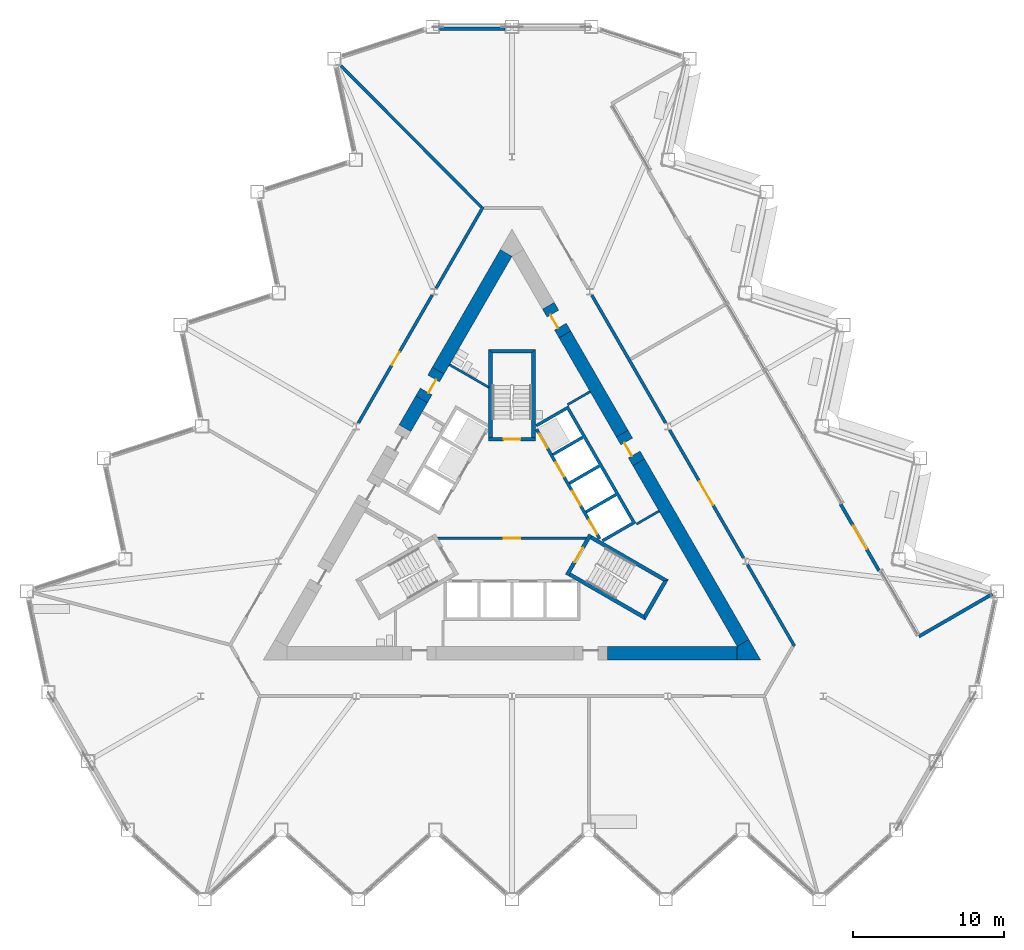
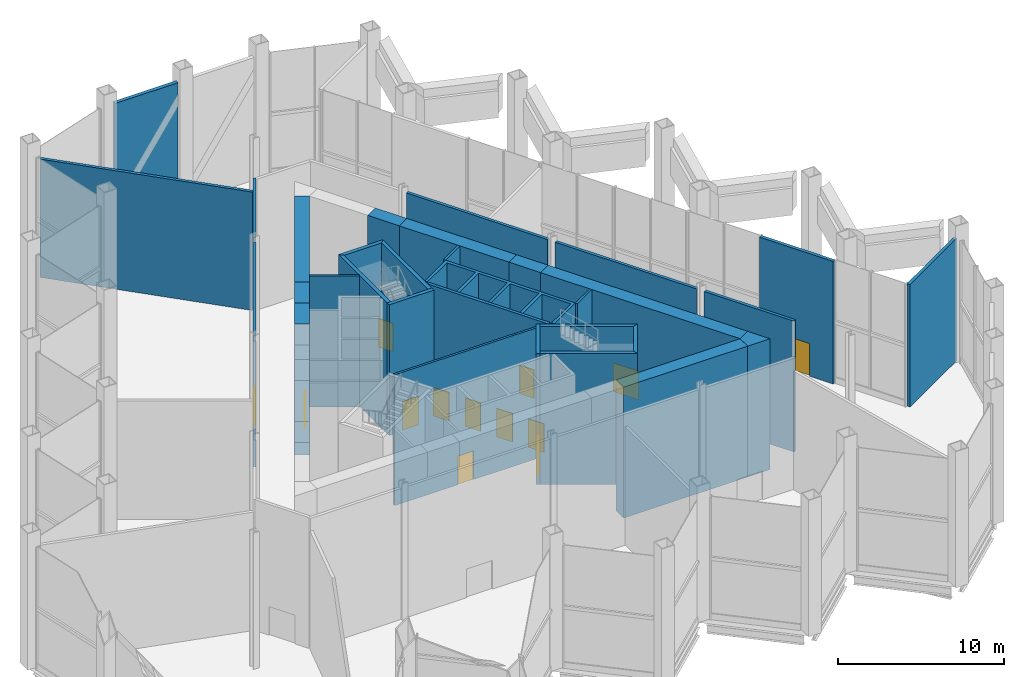
# One storey, part 10 of 18: 32 walls, 13 doors, 13 openings.
"""IFC4 building model written with IfcOpenShell, lengths in metres."""

from ifc_helpers import new_model, si_unit, direction, frame, frame_2d, origin, place, context, subcontext, project, spatial, polyline, rectangle, outline, extrude, material, layer, layer_set, type_object, element, fill, save


model = new_model("IFC4")

# Units and contexts
model_context = context("Model", 3, precision=1e-05, world=origin(), true_north=direction((0.0, 1.0)))
body_context = subcontext(model_context, "Body", "Model", "MODEL_VIEW")
ifc_project = project(units=[si_unit("LENGTHUNIT", "METRE"), si_unit("AREAUNIT", "SQUARE_METRE"), si_unit("VOLUMEUNIT", "CUBIC_METRE"), si_unit("PLANEANGLEUNIT", "RADIAN"), si_unit("MASSUNIT", "GRAM", prefix="KILO")], contexts=[model_context])

# Site, building, storey
site_placement = place(None, origin())
site = spatial("IfcSite", under=ifc_project, at=site_placement, CompositionType="ELEMENT")
building_placement = place(site_placement, origin())
building = spatial("IfcBuilding", under=site, at=building_placement, Name="Cormorant Prow Tower", CompositionType="ELEMENT")
storey_placement = place(building_placement, frame((0.0, 0.0, 154.199951171875)))
storey = spatial("IfcBuildingStorey", under=building, at=storey_placement, Name="L33", CompositionType="ELEMENT", Elevation=154.199951171875)

# Wall, opening, door
ifc_material_1 = material(Name="Gypsum board partition")
ifc_layer_1 = layer(ifc_material_1, 0.14990234375)
ifc_layer_set_1 = layer_set([ifc_layer_1], Name="Gypsum board partition")
wall_type_1 = type_object("IfcWallType", Name="Core partition 150", PredefinedType="PARTITIONING", material=ifc_layer_set_1)
wall_1_placement = place(storey_placement, frame((-4.941162109375, -1.449951171875, 0.0), z_axis=(0.0, 0.0, 1.0), x_axis=(1.0, 0.0, 0.0)))
wall_1 = element("IfcWall", 1, at=wall_1_placement, inside=storey, type_object=wall_type_1, Name="Firefighting lobby partition", PredefinedType="PARTITIONING", context=body_context, shape_type="SweptSolid", body=[
    extrude(rectangle(XDim=9.88232421875, YDim=0.14990234375, at=frame_2d((4.941162109375, 0.0))), origin(), (0.0, 0.0, 1.0), 9.60009765625),
])
opening_1_placement = place(wall_1_placement, frame((4.39111328125, 0.0, 0.0)))
opening_1 = element("IfcOpeningElement", 2, at=opening_1_placement, cuts=wall_1, Name="Opening L33-C12", PredefinedType="OPENING", context=body_context, shape_type="SweptSolid", body=[
    extrude(rectangle(XDim=1.10009765625, YDim=2.10009765625, at=frame_2d((0.550048828125, 1.050048828125))), frame((0.0, 0.0849609375, 0.0), z_axis=(0.0, -1.0, 0.0), x_axis=(1.0, 0.0, 0.0)), (0.0, 0.0, 1.0), 0.169921875),
])
ifc_material_2 = material(Name="Painted steel", Category="steel")
door_type_1 = type_object("IfcDoorType", Name="Firefighting lobby door 1100x2100", OperationType="NOTDEFINED", PredefinedType="DOOR", material=ifc_material_2)
door_1_placement = place(opening_1_placement, origin())
door_1 = element("IfcDoor", 3, at=door_1_placement, inside=storey, type_object=door_type_1, Name="Firefighting lobby door", OperationType="SINGLE_SWING_LEFT", OverallHeight=2.10009765625, OverallWidth=1.10009765625, PredefinedType="DOOR", context=body_context, shape_type="SweptSolid", body=[
    extrude(rectangle(XDim=1.10009765625, YDim=2.10009765625, at=frame_2d((0.550048828125, 1.050048828125))), frame((0.0, 0.02490234375, 0.0), z_axis=(0.0, -1.0, 0.0), x_axis=(1.0, 0.0, 0.0)), (0.0, 0.0, 1.0), 0.050048828125),
])
fill(opening_1, door_1)

# Walls
for number, where, z_axis, x_axis, name in (
    (4, (3.693359375, 7.4150390625, 0.0), (0.0, 0.0, 1.0), (0.866024871741, 0.500000921525, 0.0), "Service room partition"),
    (5, (8.268310546875, -0.509033203125, 0.0), (0.0, 0.0, 1.0), (0.866024871741, 0.500000921525, 0.0), "Service room partition"),
):
    element("IfcWall", number, at=place(storey_placement, frame(where, z_axis=z_axis, x_axis=x_axis)), inside=storey, type_object=wall_type_1, Name=name, PredefinedType="PARTITIONING", context=body_context, shape_type="SweptSolid", body=[
        extrude(rectangle(XDim=1.72021484375, YDim=0.14990234375, at=frame_2d((0.860107421875, 0.0))), origin(), (0.0, 0.0, 1.0), 9.60009765625),
    ])
wall_2_placement = place(storey_placement, frame((-4.148681640625, 10.066650390625, 0.0), z_axis=(0.0, 0.0, 1.0), x_axis=(0.865988872794, -0.500063268193, 0.0)))
element("IfcWall", 6, at=wall_2_placement, inside=storey, type_object=wall_type_1, Name="Service room partition", PredefinedType="PARTITIONING", context=body_context, shape_type="SweptSolid", body=[
    extrude(rectangle(XDim=3.017578125, YDim=0.14990234375, at=frame_2d((1.5087890625, 0.0))), origin(), (0.0, 0.0, 1.0), 9.60009765625),
])
ifc_material_3 = material(Name="Concrete 8000 psi", Category="concrete")
ifc_layer_2 = layer(ifc_material_3, 0.89990234375)
ifc_layer_set_2 = layer_set([ifc_layer_2], Name="Concrete 8000 psi")
wall_type_2 = type_object("IfcWallType", Name="Core shear wall 900", PredefinedType="SHEAR", material=ifc_layer_set_2)
wall_3_placement = place(storey_placement, frame((6.320556640625, -9.076416015625, 0.0), z_axis=(0.0, 0.0, 1.0), x_axis=(1.0, 0.0, 0.0)))
element("IfcWall", 7, at=wall_3_placement, inside=storey, type_object=wall_type_2, Name="Core wall", PredefinedType="SHEAR", context=body_context, shape_type="SweptSolid", body=[
    extrude(rectangle(XDim=8.62060546875, YDim=0.89990234375, at=frame_2d((4.310302734375, 0.0))), origin(), (0.0, 0.0, 1.0), 9.60009765625),
])
wall_4_placement = place(storey_placement, frame((15.330810546875, -8.4013671875, 0.0), z_axis=(0.0, 0.0, 1.0), x_axis=(-0.499990163897, 0.866031082587, 0.0)))
element("IfcWall", 8, at=wall_4_placement, inside=storey, type_object=wall_type_2, Name="Core wall", PredefinedType="SHEAR", context=body_context, shape_type="SweptSolid", body=[
    extrude(rectangle(XDim=13.841064453125, YDim=0.89990234375, at=frame_2d((6.92041015625, 0.0))), origin(), (0.0, 0.0, 1.0), 9.60009765625),
])
wall_5_placement = place(storey_placement, frame((7.310302734375, 5.49072265625, 0.0), z_axis=(0.0, 0.0, 1.0), x_axis=(-0.499996970966, 0.866027152591, 0.0)))
element("IfcWall", 9, at=wall_5_placement, inside=storey, type_object=wall_type_2, Name="Core wall", PredefinedType="SHEAR", context=body_context, shape_type="SweptSolid", body=[
    extrude(rectangle(XDim=7.595703125, YDim=0.89990234375, at=frame_2d((3.7978515625, 0.0))), origin(), (0.0, 0.0, 1.0), 9.60009765625),
])
wall_6_placement = place(storey_placement, frame((-0.3896484375, 17.4775390625, 0.0), z_axis=(0.0, 0.0, 1.0), x_axis=(-0.499999130374, -0.866025905863, 0.0)))
element("IfcWall", 10, at=wall_6_placement, inside=storey, type_object=wall_type_2, Name="Core wall", PredefinedType="SHEAR", context=body_context, shape_type="SweptSolid", body=[
    extrude(rectangle(XDim=9.01318359375, YDim=0.89990234375, at=frame_2d((4.506591796875, 0.0))), origin(), (0.0, 0.0, 1.0), 9.60009765625),
])
wall_7_placement = place(storey_placement, frame((-5.996337890625, 7.7666015625, 0.0), z_axis=(0.0, 0.0, 1.0), x_axis=(-0.499990325971, -0.866030989016, 0.0)))
element("IfcWall", 11, at=wall_7_placement, inside=storey, type_object=wall_type_2, Name="Core wall", PredefinedType="SHEAR", context=body_context, shape_type="SweptSolid", body=[
    extrude(rectangle(XDim=2.208984375, YDim=0.89990234375, at=frame_2d((1.1044921875, 0.0))), origin(), (0.0, 0.0, 1.0), 9.60009765625),
])
wall_8_placement = place(storey_placement, origin())
element("IfcWall", 12, at=wall_8_placement, inside=storey, type_object=wall_type_2, Name="Core wall corner", PredefinedType="SHEAR", context=body_context, shape_type="SweptSolid", body=[
    extrude(outline(polyline([(14.941162109375, -8.626220703125), (15.720703125, -8.17626953125), (16.5, -9.5263671875), (14.941162109375, -9.5263671875), (14.941162109375, -8.626220703125)])), origin(), (0.0, 0.0, 1.0), 9.60009765625),
])

# Wall, opening, door
wall_9_placement = place(storey_placement, frame((8.410400390625, 3.58544921875, 0.0), z_axis=(0.0, 0.0, 1.0), x_axis=(-0.50002983664, 0.866008176907, 0.0)))
wall_9 = element("IfcWall", 13, at=wall_9_placement, inside=storey, type_object=wall_type_2, Name="Core wall door panel", PredefinedType="SHEAR", context=body_context, shape_type="SweptSolid", body=[
    extrude(rectangle(XDim=2.199951171875, YDim=0.89990234375, at=frame_2d((1.10009765625, 0.0))), origin(), (0.0, 0.0, 1.0), 9.60009765625),
])
opening_2_placement = place(wall_9_placement, frame((0.60009765625, 0.0, 0.0)))
opening_2 = element("IfcOpeningElement", 14, at=opening_2_placement, cuts=wall_9, Name="Opening L33-C19", PredefinedType="OPENING", context=body_context, shape_type="SweptSolid", body=[
    extrude(rectangle(XDim=1.0, YDim=2.10009765625, at=frame_2d((0.5, 1.050048828125))), frame((0.0, 0.4599609375, 0.0), z_axis=(0.0, -1.0, 0.0), x_axis=(1.0, 0.0, 0.0)), (0.0, 0.0, 1.0), 0.919921875),
])
ifc_material_4 = material(Name="Painted steel", Category="steel")
door_type_2 = type_object("IfcDoorType", Name="Service door 1000x2100", OperationType="NOTDEFINED", PredefinedType="DOOR", material=ifc_material_4)
door_2_placement = place(opening_2_placement, origin())
door_2 = element("IfcDoor", 15, at=door_2_placement, inside=storey, type_object=door_type_2, Name="Core door, Refuse store", OperationType="SINGLE_SWING_LEFT", OverallHeight=2.10009765625, OverallWidth=1.0, PredefinedType="DOOR", context=body_context, shape_type="SweptSolid", body=[
    extrude(rectangle(XDim=1.0, YDim=2.10009765625, at=frame_2d((0.5, 1.050048828125))), frame((0.0, 0.205078125, 0.0), z_axis=(0.0, -1.0, 0.0), x_axis=(1.0, 0.0, 0.0)), (0.0, 0.0, 1.0), 0.050048828125),
])
fill(opening_2, door_2)

wall_10_placement = place(storey_placement, frame((-4.896240234375, 9.671875, 0.0), z_axis=(0.0, 0.0, 1.0), x_axis=(-0.50002983664, -0.866008176907, 0.0)))
wall_10 = element("IfcWall", 16, at=wall_10_placement, inside=storey, type_object=wall_type_2, Name="Core wall door panel", PredefinedType="SHEAR", context=body_context, shape_type="SweptSolid", body=[
    extrude(rectangle(XDim=2.199951171875, YDim=0.89990234375, at=frame_2d((1.10009765625, 0.0))), origin(), (0.0, 0.0, 1.0), 9.60009765625),
])
opening_3_placement = place(wall_10_placement, frame((0.60009765625, 0.0, 0.0)))
opening_3 = element("IfcOpeningElement", 17, at=opening_3_placement, cuts=wall_10, Name="Opening L33-C21", PredefinedType="OPENING", context=body_context, shape_type="SweptSolid", body=[
    extrude(rectangle(XDim=1.0, YDim=2.10009765625, at=frame_2d((0.5, 1.050048828125))), frame((0.0, 0.4599609375, 0.0), z_axis=(0.0, -1.0, 0.0), x_axis=(1.0, 0.0, 0.0)), (0.0, 0.0, 1.0), 0.919921875),
])
door_3_placement = place(opening_3_placement, origin())
door_3 = element("IfcDoor", 18, at=door_3_placement, inside=storey, type_object=door_type_2, Name="Core door, Electrical room", OperationType="SINGLE_SWING_RIGHT", OverallHeight=2.10009765625, OverallWidth=1.0, PredefinedType="DOOR", context=body_context, shape_type="SweptSolid", body=[
    extrude(rectangle(XDim=1.0, YDim=2.10009765625, at=frame_2d((0.5, 1.050048828125))), frame((0.0, 0.205078125, 0.0), z_axis=(0.0, -1.0, 0.0), x_axis=(1.0, 0.0, 0.0)), (0.0, 0.0, 1.0), 0.050048828125),
])
fill(opening_3, door_3)

wall_11_placement = place(storey_placement, frame((3.512451171875, 12.06884765625, 0.0), z_axis=(0.0, 0.0, 1.0), x_axis=(-0.499946605688, 0.86605622881, 0.0)))
wall_11 = element("IfcWall", 19, at=wall_11_placement, inside=storey, type_object=wall_type_2, Name="Core wall door panel", PredefinedType="SHEAR", context=body_context, shape_type="SweptSolid", body=[
    extrude(rectangle(XDim=2.199951171875, YDim=0.89990234375, at=frame_2d((1.10009765625, 0.0))), origin(), (0.0, 0.0, 1.0), 9.60009765625),
])
opening_4_placement = place(wall_11_placement, frame((0.60009765625, 0.0, 0.0)))
opening_4 = element("IfcOpeningElement", 20, at=opening_4_placement, cuts=wall_11, Name="Opening L33-C22", PredefinedType="OPENING", context=body_context, shape_type="SweptSolid", body=[
    extrude(rectangle(XDim=1.0, YDim=2.10009765625, at=frame_2d((0.5, 1.050048828125))), frame((0.0, 0.4599609375, 0.0), z_axis=(0.0, -1.0, 0.0), x_axis=(1.0, 0.0, 0.0)), (0.0, 0.0, 1.0), 0.919921875),
])
door_4_placement = place(opening_4_placement, origin())
door_4 = element("IfcDoor", 21, at=door_4_placement, inside=storey, type_object=door_type_2, Name="Core door, Toilets (women) L33", OperationType="SINGLE_SWING_RIGHT", OverallHeight=2.10009765625, OverallWidth=1.0, PredefinedType="DOOR", context=body_context, shape_type="SweptSolid", body=[
    extrude(rectangle(XDim=1.0, YDim=2.10009765625, at=frame_2d((0.5, 1.050048828125))), frame((0.0, 0.205078125, 0.0), z_axis=(0.0, -1.0, 0.0), x_axis=(1.0, 0.0, 0.0)), (0.0, 0.0, 1.0), 0.050048828125),
])
fill(opening_4, door_4)

ifc_material_5 = material(Name="Gypsum board corridor wall")
ifc_layer_3 = layer(ifc_material_5, 0.199951171875)
ifc_layer_set_3 = layer_set([ifc_layer_3], Name="Gypsum board corridor wall")
wall_type_3 = type_object("IfcWallType", Name="Corridor wall 200", PredefinedType="PARTITIONING", material=ifc_layer_set_3)
wall_12_placement = place(storey_placement, frame((10.459716796875, 5.735595703125, 0.0), z_axis=(0.0, 0.0, 1.0), x_axis=(0.500004141693, -0.866023012564, 0.0)))
wall_12 = element("IfcWall", 22, at=wall_12_placement, inside=storey, type_object=wall_type_3, Name="Corridor wall", PredefinedType="PARTITIONING", context=body_context, shape_type="SweptSolid", body=[
    extrude(rectangle(XDim=9.80322265625, YDim=0.199951171875, at=frame_2d((4.901611328125, 0.0))), origin(), (0.0, 0.0, 1.0), 9.60009765625),
])
opening_5_placement = place(wall_12_placement, frame((3.95166015625, 0.0, 0.0)))
opening_5 = element("IfcOpeningElement", 23, at=opening_5_placement, cuts=wall_12, Name="Opening L33-F03", PredefinedType="OPENING", context=body_context, shape_type="SweptSolid", body=[
    extrude(rectangle(XDim=1.800048828125, YDim=2.10009765625, at=frame_2d((0.89990234375, 1.050048828125))), frame((0.0, 0.10986328125, 0.0), z_axis=(0.0, -1.0, 0.0), x_axis=(1.0, 0.0, 0.0)), (0.0, 0.0, 1.0), 0.219970703125),
])
ifc_material_6 = material(Name="Timber door leaf", Category="wood")
door_type_3 = type_object("IfcDoorType", Name="Double door 1800x2100", OperationType="DOUBLE_DOOR_SINGLE_SWING", PredefinedType="DOOR", material=ifc_material_6)
door_5_placement = place(opening_5_placement, origin())
door_5 = element("IfcDoor", 24, at=door_5_placement, inside=storey, type_object=door_type_3, Name="Executive suites door", OperationType="DOUBLE_DOOR_SINGLE_SWING", OverallHeight=2.10009765625, OverallWidth=1.800048828125, PredefinedType="DOOR", context=body_context, shape_type="SweptSolid", body=[
    extrude(rectangle(XDim=1.800048828125, YDim=2.10009765625, at=frame_2d((0.89990234375, 1.050048828125))), frame((0.0, 0.02490234375, 0.0), z_axis=(0.0, -1.0, 0.0), x_axis=(1.0, 0.0, 0.0)), (0.0, 0.0, 1.0), 0.050048828125),
])
fill(opening_5, door_5)

wall_13_placement = place(storey_placement, frame((-10.197265625, 6.1904296875, 0.0), z_axis=(0.0, 0.0, 1.0), x_axis=(0.500012035596, 0.866018454918, 0.0)))
wall_13 = element("IfcWall", 25, at=wall_13_placement, inside=storey, type_object=wall_type_3, Name="Corridor wall", PredefinedType="PARTITIONING", context=body_context, shape_type="SweptSolid", body=[
    extrude(rectangle(XDim=9.803466796875, YDim=0.199951171875, at=frame_2d((4.90185546875, 0.0))), origin(), (0.0, 0.0, 1.0), 9.60009765625),
])
opening_6_placement = place(wall_13_placement, frame((4.45166015625, 0.0, 0.0)))
opening_6 = element("IfcOpeningElement", 26, at=opening_6_placement, cuts=wall_13, Name="Opening L33-F05", PredefinedType="OPENING", context=body_context, shape_type="SweptSolid", body=[
    extrude(rectangle(XDim=1.0, YDim=2.10009765625, at=frame_2d((0.5, 1.050048828125))), frame((0.0, 0.10986328125, 0.0), z_axis=(0.0, -1.0, 0.0), x_axis=(1.0, 0.0, 0.0)), (0.0, 0.0, 1.0), 0.219970703125),
])
ifc_material_7 = material(Name="Timber door leaf", Category="wood")
door_type_4 = type_object("IfcDoorType", Name="Flat or room entrance door 1000x2100", OperationType="NOTDEFINED", PredefinedType="DOOR", material=ifc_material_7)
door_6_placement = place(opening_6_placement, origin())
door_6 = element("IfcDoor", 27, at=door_6_placement, inside=storey, type_object=door_type_4, Name="Refuge area door", OperationType="SINGLE_SWING_RIGHT", OverallHeight=2.10009765625, OverallWidth=1.0, PredefinedType="DOOR", context=body_context, shape_type="SweptSolid", body=[
    extrude(rectangle(XDim=1.0, YDim=2.10009765625, at=frame_2d((0.5, 1.050048828125))), frame((0.0, 0.02490234375, 0.0), z_axis=(0.0, -1.0, 0.0), x_axis=(1.0, 0.0, 0.0)), (0.0, 0.0, 1.0), 0.050048828125),
])
fill(opening_6, door_6)

# Walls
wall_14_placement = place(storey_placement, frame((5.29541015625, 14.680419921875, 0.0), z_axis=(0.0, 0.0, 1.0), x_axis=(0.500012035596, -0.866018454918, 0.0)))
element("IfcWall", 28, at=wall_14_placement, inside=storey, type_object=wall_type_3, Name="Corridor wall", PredefinedType="PARTITIONING", context=body_context, shape_type="SweptSolid", body=[
    extrude(rectangle(XDim=9.803466796875, YDim=0.199951171875, at=frame_2d((4.90185546875, 0.0))), origin(), (0.0, 0.0, 1.0), 9.60009765625),
])
wall_15_placement = place(storey_placement, frame((-5.032958984375, 15.13525390625, 0.0), z_axis=(0.0, 0.0, 1.0), x_axis=(0.499980978912, 0.866036385336, 0.0)))
element("IfcWall", 29, at=wall_15_placement, inside=storey, type_object=wall_type_3, Name="Corridor wall", PredefinedType="PARTITIONING", context=body_context, shape_type="SweptSolid", body=[
    extrude(rectangle(XDim=6.239990234375, YDim=0.199951171875, at=frame_2d((3.1201171875, 0.0))), origin(), (0.0, 0.0, 1.0), 9.60009765625),
])
wall_16_placement = place(storey_placement, frame((15.6240234375, -3.208984375, 0.0), z_axis=(0.0, 0.0, 1.0), x_axis=(0.499997920671, -0.866026604282, 0.0)))
element("IfcWall", 30, at=wall_16_placement, inside=storey, type_object=wall_type_3, Name="Corridor wall", PredefinedType="PARTITIONING", context=body_context, shape_type="SweptSolid", body=[
    extrude(rectangle(XDim=6.23974609375, YDim=0.199951171875, at=frame_2d((3.119873046875, 0.0))), origin(), (0.0, 0.0, 1.0), 9.60009765625),
])
ifc_material_8 = material(Name="Gypsum board demising wall")
ifc_layer_4 = layer(ifc_material_8, 0.199951171875)
ifc_layer_set_4 = layer_set([ifc_layer_4], Name="Gypsum board demising wall")
wall_type_4 = type_object("IfcWallType", Name="Demising wall 200", PredefinedType="PARTITIONING", material=ifc_layer_set_4)
wall_17_placement = place(storey_placement, frame((-11.35791015625, 29.90625, 0.0), z_axis=(0.0, 0.0, 1.0), x_axis=(0.704897825138, -0.709308858055, 0.0)))
element("IfcWall", 31, at=wall_17_placement, inside=storey, type_object=wall_type_4, Name="Demising wall", PredefinedType="PARTITIONING", context=body_context, shape_type="SweptSolid", body=[
    extrude(rectangle(XDim=13.22802734375, YDim=0.199951171875, at=frame_2d((6.614013671875, 0.0))), origin(), (0.0, 0.0, 1.0), 8.685302734375),
])

# Wall, openings, doors
ifc_material_9 = material(Name="Concrete 5000 psi", Category="concrete")
ifc_layer_5 = layer(ifc_material_9, 0.199951171875)
ifc_layer_set_5 = layer_set([ifc_layer_5], Name="Concrete 5000 psi")
wall_type_5 = type_object("IfcWallType", Name="Lift lobby wall 200", PredefinedType="SOLIDWALL", material=ifc_layer_set_5)
wall_18_placement = place(storey_placement, frame((5.817138671875, -1.4755859375, 0.0), z_axis=(0.0, 0.0, 1.0), x_axis=(-0.500002616675, 0.866023893041, 0.0)))
wall_18 = element("IfcWall", 32, at=wall_18_placement, inside=storey, type_object=wall_type_5, Name="Lift lobby wall, ENE block", PredefinedType="SOLIDWALL", context=body_context, shape_type="SweptSolid", body=[
    extrude(rectangle(XDim=8.373046875, YDim=0.199951171875, at=frame_2d((4.1865234375, 0.0))), origin(), (0.0, 0.0, 1.0), 9.60009765625),
])
opening_7_placement = place(wall_18_placement, frame((0.336669921875, 0.0, 0.0)))
opening_7 = element("IfcOpeningElement", 33, at=opening_7_placement, cuts=wall_18, Name="Opening L33-C05", PredefinedType="OPENING", context=body_context, shape_type="SweptSolid", body=[
    extrude(rectangle(XDim=1.10009765625, YDim=2.10009765625, at=frame_2d((0.550048828125, 1.050048828125))), frame((0.0, 0.10986328125, 0.0), z_axis=(0.0, -1.0, 0.0), x_axis=(1.0, 0.0, 0.0)), (0.0, 0.0, 1.0), 0.219970703125),
])
opening_8_placement = place(wall_18_placement, frame((2.53662109375, 0.0, 0.0)))
opening_8 = element("IfcOpeningElement", 34, at=opening_8_placement, cuts=wall_18, Name="Opening L33-C06", PredefinedType="OPENING", context=body_context, shape_type="SweptSolid", body=[
    extrude(rectangle(XDim=1.10009765625, YDim=2.10009765625, at=frame_2d((0.550048828125, 1.050048828125))), frame((0.0, 0.10986328125, 0.0), z_axis=(0.0, -1.0, 0.0), x_axis=(1.0, 0.0, 0.0)), (0.0, 0.0, 1.0), 0.219970703125),
])
opening_9_placement = place(wall_18_placement, frame((4.736572265625, 0.0, 0.0)))
opening_9 = element("IfcOpeningElement", 35, at=opening_9_placement, cuts=wall_18, Name="Opening L33-C07", PredefinedType="OPENING", context=body_context, shape_type="SweptSolid", body=[
    extrude(rectangle(XDim=1.10009765625, YDim=2.10009765625, at=frame_2d((0.550048828125, 1.050048828125))), frame((0.0, 0.10986328125, 0.0), z_axis=(0.0, -1.0, 0.0), x_axis=(1.0, 0.0, 0.0)), (0.0, 0.0, 1.0), 0.219970703125),
])
opening_10_placement = place(wall_18_placement, frame((6.9365234375, 0.0, 0.0)))
opening_10 = element("IfcOpeningElement", 36, at=opening_10_placement, cuts=wall_18, Name="Opening L33-C08", PredefinedType="OPENING", context=body_context, shape_type="SweptSolid", body=[
    extrude(rectangle(XDim=1.10009765625, YDim=2.10009765625, at=frame_2d((0.550048828125, 1.050048828125))), frame((0.0, 0.10986328125, 0.0), z_axis=(0.0, -1.0, 0.0), x_axis=(1.0, 0.0, 0.0)), (0.0, 0.0, 1.0), 0.219970703125),
])
ifc_material_10 = material(Name="Painted steel", Category="steel")
door_type_5 = type_object("IfcDoorType", Name="Lift landing door 1100x2100", OperationType="SLIDING_TO_LEFT", PredefinedType="DOOR", material=ifc_material_10)
door_7_placement = place(opening_7_placement, origin())
door_7 = element("IfcDoor", 37, at=door_7_placement, inside=storey, type_object=door_type_5, Name="Landing door LR2", OperationType="SLIDING_TO_LEFT", OverallHeight=2.10009765625, OverallWidth=1.10009765625, PredefinedType="DOOR", context=body_context, shape_type="SweptSolid", body=[
    extrude(rectangle(XDim=1.10009765625, YDim=2.10009765625, at=frame_2d((0.550048828125, 1.050048828125))), frame((0.0, 0.02490234375, 0.0), z_axis=(0.0, -1.0, 0.0), x_axis=(1.0, 0.0, 0.0)), (0.0, 0.0, 1.0), 0.050048828125),
])
fill(opening_7, door_7)
door_8_placement = place(opening_8_placement, origin())
door_8 = element("IfcDoor", 38, at=door_8_placement, inside=storey, type_object=door_type_5, Name="Landing door LR3", OperationType="SLIDING_TO_LEFT", OverallHeight=2.10009765625, OverallWidth=1.10009765625, PredefinedType="DOOR", context=body_context, shape_type="SweptSolid", body=[
    extrude(rectangle(XDim=1.10009765625, YDim=2.10009765625, at=frame_2d((0.550048828125, 1.050048828125))), frame((0.0, 0.02490234375, 0.0), z_axis=(0.0, -1.0, 0.0), x_axis=(1.0, 0.0, 0.0)), (0.0, 0.0, 1.0), 0.050048828125),
])
fill(opening_8, door_8)
door_9_placement = place(opening_9_placement, origin())
door_9 = element("IfcDoor", 39, at=door_9_placement, inside=storey, type_object=door_type_5, Name="Landing door LR4", OperationType="SLIDING_TO_LEFT", OverallHeight=2.10009765625, OverallWidth=1.10009765625, PredefinedType="DOOR", context=body_context, shape_type="SweptSolid", body=[
    extrude(rectangle(XDim=1.10009765625, YDim=2.10009765625, at=frame_2d((0.550048828125, 1.050048828125))), frame((0.0, 0.02490234375, 0.0), z_axis=(0.0, -1.0, 0.0), x_axis=(1.0, 0.0, 0.0)), (0.0, 0.0, 1.0), 0.050048828125),
])
fill(opening_9, door_9)
door_10_placement = place(opening_10_placement, origin())
door_10 = element("IfcDoor", 40, at=door_10_placement, inside=storey, type_object=door_type_5, Name="Landing door MR1", OperationType="SLIDING_TO_LEFT", OverallHeight=2.10009765625, OverallWidth=1.10009765625, PredefinedType="DOOR", context=body_context, shape_type="SweptSolid", body=[
    extrude(rectangle(XDim=1.10009765625, YDim=2.10009765625, at=frame_2d((0.550048828125, 1.050048828125))), frame((0.0, 0.02490234375, 0.0), z_axis=(0.0, -1.0, 0.0), x_axis=(1.0, 0.0, 0.0)), (0.0, 0.0, 1.0), 0.050048828125),
])
fill(opening_10, door_10)

# Walls
ifc_material_11 = material(Name="Concrete 8000 psi", Category="concrete")
ifc_layer_6 = layer(ifc_material_11, 0.199951171875)
ifc_layer_set_6 = layer_set([ifc_layer_6], Name="Concrete 8000 psi")
wall_type_6 = type_object("IfcWallType", Name="Lift shaft wall 200", PredefinedType="SHEAR", material=ifc_layer_set_6)
wall_19_placement = place(storey_placement, origin())
element("IfcWall", 41, at=wall_19_placement, inside=storey, type_object=wall_type_6, Name="Lift shaft walls, ENE block", PredefinedType="SHEAR", context=body_context, shape_type="SweptSolid", body=[
    extrude(outline(polyline([(1.560546875, 6.09716796875), (3.730712890625, 7.35009765625), (8.230712890625, -0.444091796875), (6.060546875, -1.697021484375), (5.96044921875, -1.52392578125), (7.952392578125, -0.373779296875), (6.952392578125, 1.358154296875), (4.96044921875, 0.2080078125), (4.860595703125, 0.38134765625), (6.852294921875, 1.53125), (5.852294921875, 3.263427734375), (3.860595703125, 2.11328125), (3.760498046875, 2.28662109375), (5.75244140625, 3.4365234375), (4.75244140625, 5.168701171875), (2.760498046875, 4.018798828125), (2.660400390625, 4.19189453125), (4.65234375, 5.341796875), (3.65234375, 7.073974609375), (1.660400390625, 5.923828125), (1.560546875, 6.09716796875)])), origin(), (0.0, 0.0, 1.0), 9.60009765625),
])
ifc_material_12 = material(Name="Concrete 8000 psi", Category="concrete")
ifc_layer_7 = layer(ifc_material_12, 0.25)
ifc_layer_set_7 = layer_set([ifc_layer_7], Name="Concrete 8000 psi")
wall_type_7 = type_object("IfcWallType", Name="Stair wall 250", PredefinedType="SHEAR", material=ifc_layer_set_7)
wall_20_placement = place(storey_placement, origin())
element("IfcWall", 42, at=wall_20_placement, inside=storey, type_object=wall_type_7, Name="Stair ST2 enclosure wall (flank)", PredefinedType="SHEAR", context=body_context, shape_type="SweptSolid", body=[
    extrude(outline(polyline([(3.76318359375, -3.95556640625), (8.82958984375, -6.880615234375), (8.738037109375, -6.5390625), (3.88818359375, -3.739013671875), (3.76318359375, -3.95556640625)])), origin(), (0.0, 0.0, 1.0), 9.60009765625),
])
wall_21_placement = place(storey_placement, origin())
element("IfcWall", 43, at=wall_21_placement, inside=storey, type_object=wall_type_7, Name="Stair ST2 enclosure wall (end)", PredefinedType="SHEAR", context=body_context, shape_type="SweptSolid", body=[
    extrude(outline(polyline([(8.82958984375, -6.880615234375), (10.37353515625, -4.206298828125), (10.031982421875, -4.2978515625), (8.738037109375, -6.5390625), (8.82958984375, -6.880615234375)])), origin(), (0.0, 0.0, 1.0), 9.60009765625),
])
wall_22_placement = place(storey_placement, origin())
element("IfcWall", 44, at=wall_22_placement, inside=storey, type_object=wall_type_7, Name="Stair ST2 enclosure wall (flank)", PredefinedType="SHEAR", context=body_context, shape_type="SweptSolid", body=[
    extrude(outline(polyline([(10.031982421875, -4.2978515625), (10.37353515625, -4.206298828125), (5.30712890625, -1.28125), (5.18212890625, -1.497802734375), (10.031982421875, -4.2978515625)])), origin(), (0.0, 0.0, 1.0), 9.60009765625),
])

# Wall, opening, door
wall_23_placement = place(storey_placement, frame((3.655029296875, -3.89306640625, 0.0), z_axis=(0.0, 0.0, 1.0), x_axis=(0.499982516597, 0.866035497597, 0.0)))
wall_23 = element("IfcWall", 45, at=wall_23_placement, inside=storey, type_object=wall_type_7, Name="Stair ST2 door wall", PredefinedType="SHEAR", context=body_context, shape_type="SweptSolid", body=[
    extrude(rectangle(XDim=3.087890625, YDim=0.25, at=frame_2d((1.5439453125, 0.0))), origin(), (0.0, 0.0, 1.0), 9.60009765625),
])
opening_11_placement = place(wall_23_placement, frame((0.993896484375, 0.0, 0.0)))
opening_11 = element("IfcOpeningElement", 46, at=opening_11_placement, cuts=wall_23, Name="Opening L33-C14", PredefinedType="OPENING", context=body_context, shape_type="SweptSolid", body=[
    extrude(rectangle(XDim=1.10009765625, YDim=2.10009765625, at=frame_2d((0.550048828125, 1.050048828125))), frame((0.0, 0.135009765625, 0.0), z_axis=(0.0, -1.0, 0.0), x_axis=(1.0, 0.0, 0.0)), (0.0, 0.0, 1.0), 0.27001953125),
])
ifc_material_13 = material(Name="Painted steel", Category="steel")
door_type_6 = type_object("IfcDoorType", Name="Stair door 1100x2100", OperationType="NOTDEFINED", PredefinedType="DOOR", material=ifc_material_13)
door_11_placement = place(opening_11_placement, origin())
door_11 = element("IfcDoor", 47, at=door_11_placement, inside=storey, type_object=door_type_6, Name="Stair ST2 door", OperationType="SINGLE_SWING_RIGHT", OverallHeight=2.10009765625, OverallWidth=1.10009765625, PredefinedType="DOOR", context=body_context, shape_type="SweptSolid", body=[
    extrude(rectangle(XDim=1.10009765625, YDim=2.10009765625, at=frame_2d((0.550048828125, 1.050048828125))), frame((0.0, 0.02490234375, 0.0), z_axis=(0.0, -1.0, 0.0), x_axis=(1.0, 0.0, 0.0)), (0.0, 0.0, 1.0), 0.050048828125),
])
fill(opening_11, door_11)

# Walls
wall_24_placement = place(storey_placement, origin())
element("IfcWall", 48, at=wall_24_placement, inside=storey, type_object=wall_type_7, Name="Stair ST3 enclosure wall (flank)", PredefinedType="SHEAR", context=body_context, shape_type="SweptSolid", body=[
    extrude(outline(polyline([(1.5439453125, 5.23681640625), (1.5439453125, 11.0869140625), (1.2939453125, 10.8369140625), (1.2939453125, 5.23681640625), (1.5439453125, 5.23681640625)])), origin(), (0.0, 0.0, 1.0), 9.60009765625),
])
wall_25_placement = place(storey_placement, origin())
element("IfcWall", 49, at=wall_25_placement, inside=storey, type_object=wall_type_7, Name="Stair ST3 enclosure wall (end)", PredefinedType="SHEAR", context=body_context, shape_type="SweptSolid", body=[
    extrude(outline(polyline([(1.5439453125, 11.0869140625), (-1.5439453125, 11.0869140625), (-1.2939453125, 10.8369140625), (1.2939453125, 10.8369140625), (1.5439453125, 11.0869140625)])), origin(), (0.0, 0.0, 1.0), 9.60009765625),
])
wall_26_placement = place(storey_placement, origin())
element("IfcWall", 50, at=wall_26_placement, inside=storey, type_object=wall_type_7, Name="Stair ST3 enclosure wall (flank)", PredefinedType="SHEAR", context=body_context, shape_type="SweptSolid", body=[
    extrude(outline(polyline([(-1.2939453125, 10.8369140625), (-1.5439453125, 11.0869140625), (-1.5439453125, 5.23681640625), (-1.2939453125, 5.23681640625), (-1.2939453125, 10.8369140625)])), origin(), (0.0, 0.0, 1.0), 9.60009765625),
])

# Wall, opening, door
wall_27_placement = place(storey_placement, frame((1.5439453125, 5.11181640625, 0.0), z_axis=(0.0, 0.0, 1.0), x_axis=(-1.0, 0.0, 0.0)))
wall_27 = element("IfcWall", 51, at=wall_27_placement, inside=storey, type_object=wall_type_7, Name="Stair ST3 door wall", PredefinedType="SHEAR", context=body_context, shape_type="SweptSolid", body=[
    extrude(rectangle(XDim=3.087890625, YDim=0.25, at=frame_2d((1.5439453125, 0.0))), origin(), (0.0, 0.0, 1.0), 9.60009765625),
])
opening_12_placement = place(wall_27_placement, frame((0.993896484375, 0.0, 0.0)))
opening_12 = element("IfcOpeningElement", 52, at=opening_12_placement, cuts=wall_27, Name="Opening L33-C15", PredefinedType="OPENING", context=body_context, shape_type="SweptSolid", body=[
    extrude(rectangle(XDim=1.10009765625, YDim=2.10009765625, at=frame_2d((0.550048828125, 1.050048828125))), frame((0.0, 0.135009765625, 0.0), z_axis=(0.0, -1.0, 0.0), x_axis=(1.0, 0.0, 0.0)), (0.0, 0.0, 1.0), 0.27001953125),
])
door_12_placement = place(opening_12_placement, origin())
door_12 = element("IfcDoor", 53, at=door_12_placement, inside=storey, type_object=door_type_6, Name="Stair ST3 door", OperationType="SINGLE_SWING_RIGHT", OverallHeight=2.10009765625, OverallWidth=1.10009765625, PredefinedType="DOOR", context=body_context, shape_type="SweptSolid", body=[
    extrude(rectangle(XDim=1.10009765625, YDim=2.10009765625, at=frame_2d((0.550048828125, 1.050048828125))), frame((0.0, 0.02490234375, 0.0), z_axis=(0.0, -1.0, 0.0), x_axis=(1.0, 0.0, 0.0)), (0.0, 0.0, 1.0), 0.050048828125),
])
fill(opening_12, door_12)

# Wall
ifc_material_14 = material(Name="Terracotta", Category="masonry")
ifc_layer_8 = layer(ifc_material_14, 0.25)
ifc_layer_set_8 = layer_set([ifc_layer_8], Name="Terracotta")
wall_type_8 = type_object("IfcWallType", Name="Terracotta bay wall 250", PredefinedType="SOLIDWALL", material=ifc_layer_set_8)
wall_28_placement = place(storey_placement, frame((-0.449951171875, 32.362060546875, 0.0), z_axis=(0.0, 0.0, 1.0), x_axis=(-1.0, 0.0, 0.0)))
element("IfcWall", 54, at=wall_28_placement, inside=storey, type_object=wall_type_8, Name="Terracotta bay wall N01", PredefinedType="SOLIDWALL", context=body_context, shape_type="SweptSolid", body=[
    extrude(rectangle(XDim=4.36962890625, YDim=0.25, at=frame_2d((2.184814453125, 0.0))), origin(), (0.0, 0.0, 1.0), 8.989013671875),
])

# Wall, opening, door
ifc_material_15 = material(Name="Terracotta", Category="masonry")
ifc_layer_9 = layer(ifc_material_15, 0.219970703125)
ifc_layer_set_9 = layer_set([ifc_layer_9], Name="Terracotta")
wall_type_9 = type_object("IfcWallType", Name="Terracotta loggia wall 220", PredefinedType="SOLIDWALL", material=ifc_layer_set_9)
wall_29_placement = place(storey_placement, frame((24.354736328125, -3.60546875, 0.0), z_axis=(0.0, 0.0, 1.0), x_axis=(-0.499969707105, 0.866042892689, 0.0)))
wall_29 = element("IfcWall", 55, at=wall_29_placement, inside=storey, type_object=wall_type_9, Name="Terracotta loggia wall ENE02", PredefinedType="SOLIDWALL", context=body_context, shape_type="SweptSolid", body=[
    extrude(rectangle(XDim=5.099853515625, YDim=0.219970703125, at=frame_2d((2.5498046875, 0.0))), origin(), (0.0, 0.0, 1.0), 8.989013671875),
])
opening_13_placement = place(wall_29_placement, frame((1.64990234375, 0.0, 0.0)))
opening_13 = element("IfcOpeningElement", 56, at=opening_13_placement, cuts=wall_29, Name="Opening ED33.01", PredefinedType="OPENING", context=body_context, shape_type="SweptSolid", body=[
    extrude(rectangle(XDim=1.800048828125, YDim=2.39990234375, at=frame_2d((0.89990234375, 1.199951171875))), frame((0.0, 0.119873046875, 0.0), z_axis=(0.0, -1.0, 0.0), x_axis=(1.0, 0.0, 0.0)), (0.0, 0.0, 1.0), 0.239990234375),
])
ifc_material_16 = material(Name="Aluminium 6063-T6", Category="aluminium")
door_type_7 = type_object("IfcDoorType", Name="Terrace door 1800x2400", OperationType="DOUBLE_DOOR_SINGLE_SWING", PredefinedType="DOOR", material=ifc_material_16)
door_13_placement = place(opening_13_placement, origin())
door_13 = element("IfcDoor", 57, at=door_13_placement, inside=storey, type_object=door_type_7, Name="Terrace door ENE02 ED33.01", OperationType="DOUBLE_DOOR_SINGLE_SWING", OverallHeight=2.39990234375, OverallWidth=1.800048828125, PredefinedType="DOOR", context=body_context, shape_type="SweptSolid", body=[
    extrude(rectangle(XDim=1.800048828125, YDim=2.39990234375, at=frame_2d((0.89990234375, 1.199951171875))), frame((0.0, 0.02490234375, 0.0), z_axis=(0.0, -1.0, 0.0), x_axis=(1.0, 0.0, 0.0)), (0.0, 0.0, 1.0), 0.050048828125),
])
fill(opening_13, door_13)

# Wall
wall_30_placement = place(storey_placement, frame((31.8671875, -5.1572265625, 0.0), z_axis=(0.0, 0.0, 1.0), x_axis=(-0.866045247681, -0.499965627787, 0.0)))
element("IfcWall", 58, at=wall_30_placement, inside=storey, type_object=wall_type_9, Name="Terracotta loggia return ENE west", PredefinedType="SOLIDWALL", context=body_context, shape_type="SweptSolid", body=[
    extrude(rectangle(XDim=5.6201171875, YDim=0.219970703125, at=frame_2d((2.81005859375, 0.0))), origin(), (0.0, 0.0, 1.0), 8.989013671875),
])

save(model, "model.ifc")
